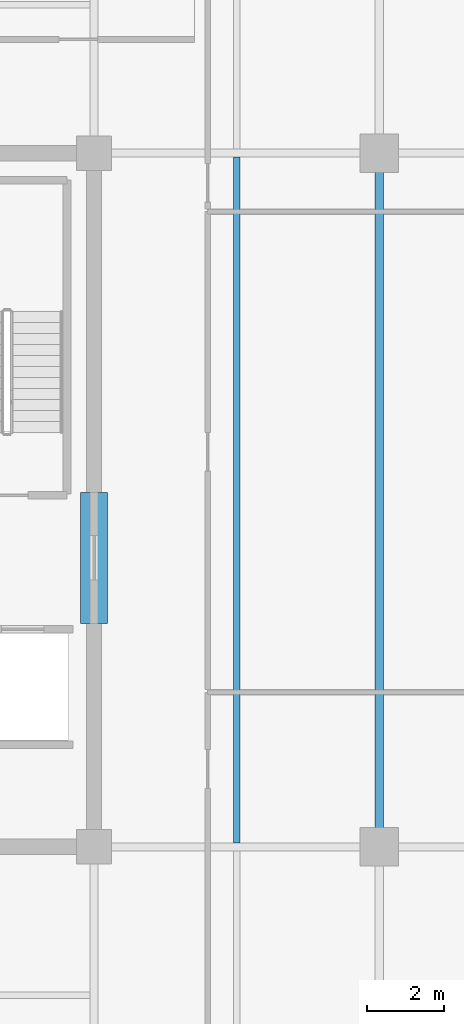
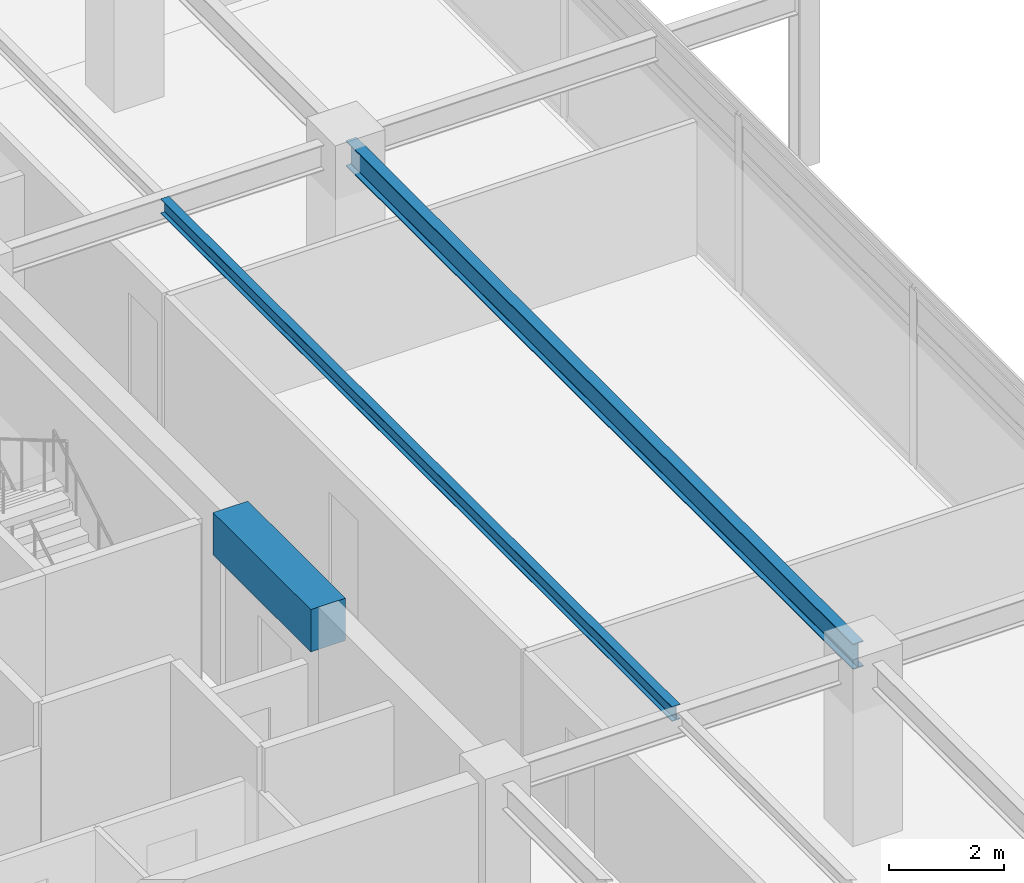
# One storey, part 3 of 21: 3 beams.
"""IFC4 building model written with IfcOpenShell, lengths in metres."""

from ifc_helpers import new_model, si_unit, direction, frame, origin, origin_2d, place, context, subcontext, project, spatial, rectangle, i_section, extrude, material, material_profile, profile_set, type_object, element, save


model = new_model("IFC4")

# Units and contexts
model_context = context("Model", 3, precision=1e-05, world=origin(), true_north=direction((0.0, 1.0)))
body_context = subcontext(model_context, "Body", "Model", "MODEL_VIEW")
ifc_project = project(units=[si_unit("LENGTHUNIT", "METRE"), si_unit("AREAUNIT", "SQUARE_METRE"), si_unit("VOLUMEUNIT", "CUBIC_METRE"), si_unit("PLANEANGLEUNIT", "RADIAN"), si_unit("MASSUNIT", "GRAM", prefix="KILO")], contexts=[model_context])

# Site, building, storey
site_placement = place(None, origin())
site = spatial("IfcSite", under=ifc_project, at=site_placement, CompositionType="ELEMENT")
building_placement = place(site_placement, origin())
building = spatial("IfcBuilding", under=site, at=building_placement, Name="Kovane Verandah Tower", CompositionType="ELEMENT")
storey_placement = place(building_placement, frame((0.0, 0.0, 314.800048828125)))
storey = spatial("IfcBuildingStorey", under=building, at=storey_placement, Name="L73", CompositionType="ELEMENT", Elevation=314.800048828125)

# Beams
ifc_material_1 = material(Name="Concrete C60/75", Category="concrete")
ifc_material_profile_1 = material_profile(ifc_material_1, rectangle(XDim=0.699951171875, YDim=0.89990234375, at=origin_2d()), Name="RCB700x900")
ifc_profile_set_1 = profile_set([ifc_material_profile_1], Name="Concrete C60/75")
beam_type_1 = type_object("IfcBeamType", Name="BM-LINTEL-700x900", PredefinedType="LINTEL", material=ifc_profile_set_1)
beam_1_placement = place(storey_placement, frame((51.0, 24.300048828125, 3.3349609375), z_axis=(0.0, 1.0, 0.0), x_axis=(-1.0, 0.0, 0.0)))
element("IfcBeam", 1, at=beam_1_placement, inside=storey, type_object=beam_type_1, Name="L73 Core Coupling Lintel CL-E", PredefinedType="LINTEL", context=body_context, shape_type="SweptSolid", body=[
    extrude(rectangle(XDim=0.699951171875, YDim=0.89990234375, at=origin_2d()), origin(), (0.0, 0.0, 1.0), 3.39990234375),
])
ifc_material_2 = material(Name="Steel S355", Category="steel")
ifc_material_profile_2 = material_profile(ifc_material_2, i_section(OverallWidth=0.2119140625, OverallDepth=0.54443359375, WebThickness=0.0126953125, FlangeThickness=0.021240234375, FilletRadius=0.0126953125, at=origin_2d()), Name="UB533x210x122")
ifc_profile_set_2 = profile_set([ifc_material_profile_2], Name="Steel S355")
beam_type_2 = type_object("IfcBeamType", Name="BM-UB533x122", PredefinedType="BEAM", material=ifc_profile_set_2)
beam_2_placement = place(storey_placement, frame((58.39990234375, 18.679931640625, 3.5126953125), z_axis=(0.0, 1.0, 0.0), x_axis=(-1.0, 0.0, 0.0)))
element("IfcBeam", 2, at=beam_2_placement, inside=storey, type_object=beam_type_2, Name="L73 Primary Tower Girder G-RE2", PredefinedType="BEAM", context=body_context, shape_type="SweptSolid", body=[
    extrude(i_section(OverallWidth=0.2119140625, OverallDepth=0.54443359375, WebThickness=0.0126953125, FlangeThickness=0.021240234375, FilletRadius=0.0126953125, at=origin_2d()), origin(), (0.0, 0.0, 1.0), 17.64013671875),
])
ifc_material_profile_3 = material_profile(ifc_material_2, i_section(OverallWidth=0.1669921875, OverallDepth=0.310302734375, WebThickness=0.0078125, FlangeThickness=0.013671875, FilletRadius=0.0087890625, at=origin_2d()), Name="UB305x165x54")
ifc_profile_set_3 = profile_set([ifc_material_profile_3], Name="Steel S355")
beam_type_3 = type_object("IfcBeamType", Name="JST-UB305x54", PredefinedType="JOIST", material=ifc_profile_set_3)
beam_3_placement = place(storey_placement, frame((54.699951171875, 18.60400390625, 3.629638671875), z_axis=(0.0, 1.0, 0.0), x_axis=(-1.0, 0.0, 0.0)))
element("IfcBeam", 3, at=beam_3_placement, inside=storey, type_object=beam_type_3, Name="L73 Secondary Composite Joist J-E1", PredefinedType="JOIST", context=body_context, shape_type="SweptSolid", body=[
    extrude(i_section(OverallWidth=0.1669921875, OverallDepth=0.310302734375, WebThickness=0.0078125, FlangeThickness=0.013671875, FilletRadius=0.0087890625, at=origin_2d()), origin(), (0.0, 0.0, 1.0), 17.7919921875),
])

save(model, "model.ifc")
